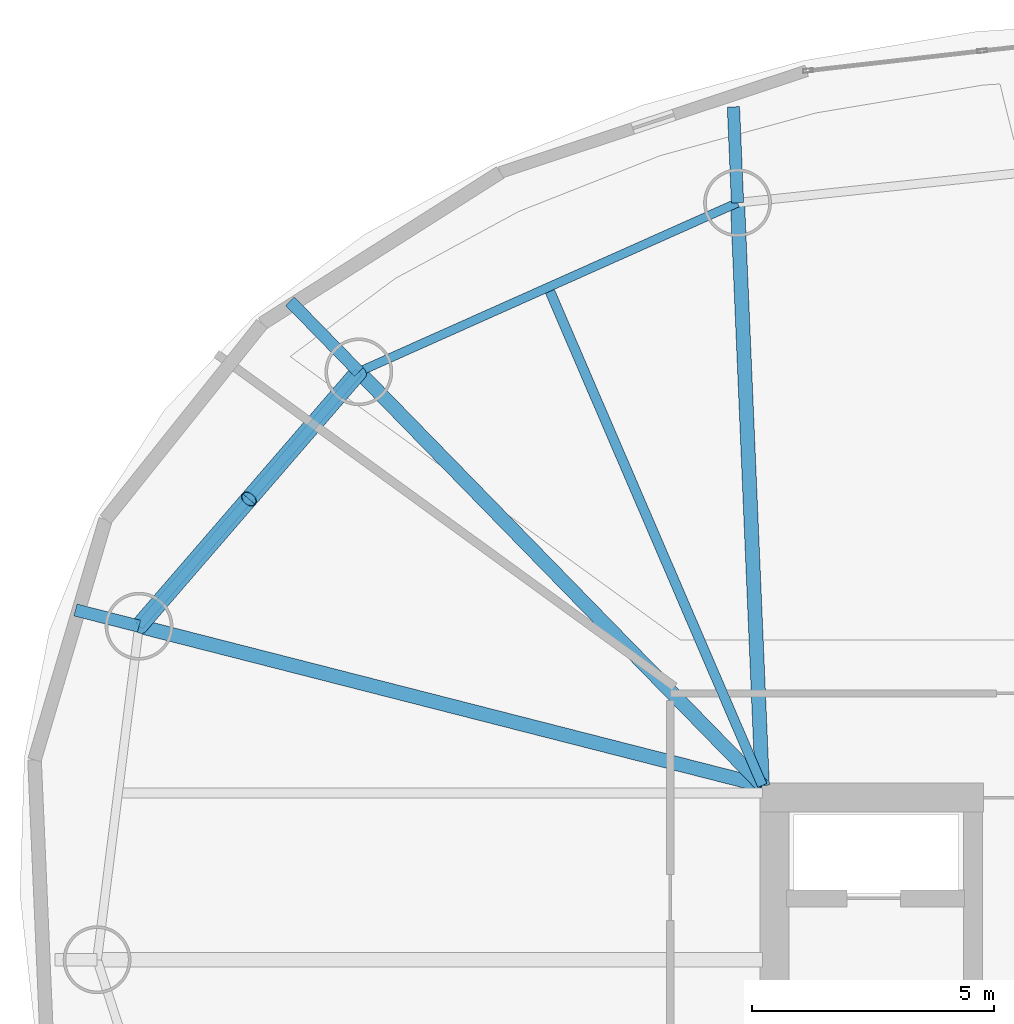
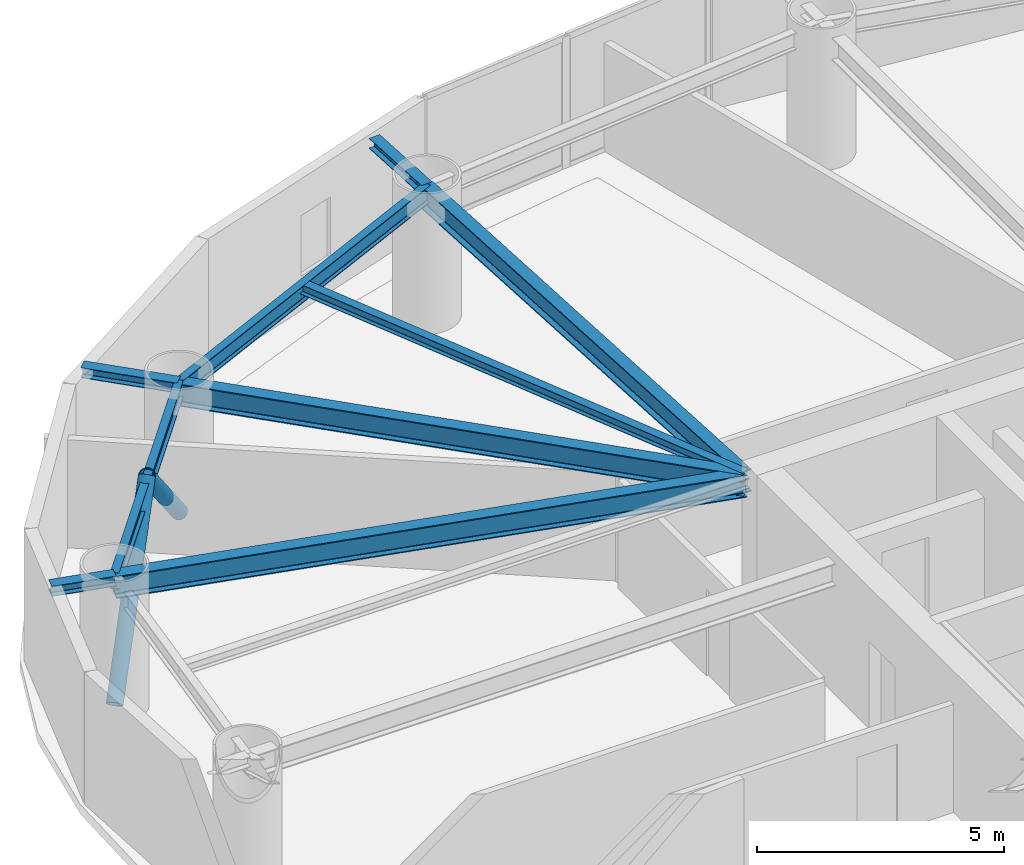
# One storey, part 10 of 22: 9 beams, 2 members.
"""IFC4 building model written with IfcOpenShell, lengths in metres."""

from ifc_helpers import new_model, si_unit, direction, frame, origin, origin_2d, place, context, subcontext, project, spatial, hollow_circle, i_section, extrude, material, material_profile, profile_set, type_object, element, save


model = new_model("IFC4")

# Units and contexts
model_context = context("Model", 3, precision=1e-05, world=origin(), true_north=direction((0.0, 1.0)))
body_context = subcontext(model_context, "Body", "Model", "MODEL_VIEW")
ifc_project = project(units=[si_unit("LENGTHUNIT", "METRE"), si_unit("AREAUNIT", "SQUARE_METRE"), si_unit("VOLUMEUNIT", "CUBIC_METRE"), si_unit("PLANEANGLEUNIT", "RADIAN"), si_unit("MASSUNIT", "GRAM", prefix="KILO")], contexts=[model_context])

# Site, building, storey
site_placement = place(None, origin())
site = spatial("IfcSite", under=ifc_project, at=site_placement, CompositionType="ELEMENT")
building_placement = place(site_placement, origin())
building = spatial("IfcBuilding", under=site, at=building_placement, Name="Bramvorn Convention Spire", CompositionType="ELEMENT")
storey_placement = place(building_placement, frame((0.0, 0.0, 141.300048828125)))
storey = spatial("IfcBuildingStorey", under=building, at=storey_placement, Name="L35", CompositionType="ELEMENT", Elevation=141.300048828125)

# Beams
ifc_material = material(Name="Steel CSA G40.21 Grade 350 (350W)", Category="steel")
ifc_material_profile_1 = material_profile(ifc_material, i_section(OverallWidth=0.201904296875, OverallDepth=0.2470703125, WebThickness=0.00732421875, FlangeThickness=0.010986328125, FilletRadius=0.011962890625, at=origin_2d()))
ifc_profile_set_1 = profile_set([ifc_material_profile_1], Name="Steel CSA G40.21 Grade 350 (350W) - W250X49")
beam_type_1 = type_object("IfcBeamType", Name="BM-W250X49", PredefinedType="JOIST", material=ifc_profile_set_1)
beam_1_placement = place(storey_placement, frame((26.75, 33.449951171875, 3.136474609375), z_axis=(-0.394937739893, 0.918707886985, 0.0), x_axis=(-0.918707886985, -0.394937739893, 0.0)))
element("IfcBeam", 1, at=beam_1_placement, inside=storey, type_object=beam_type_1, Name="L35 composite floor joist 07", PredefinedType="JOIST", context=body_context, shape_type="SweptSolid", body=[
    extrude(i_section(OverallWidth=0.201904296875, OverallDepth=0.2470703125, WebThickness=0.00732421875, FlangeThickness=0.010986328125, FilletRadius=0.011962890625, at=origin_2d()), origin(), (0.0, 0.0, 1.0), 11.19384765625),
])
ifc_material_profile_2 = material_profile(ifc_material, i_section(OverallWidth=0.25390625, OverallDepth=0.2529296875, WebThickness=0.008544921875, FlangeThickness=0.01416015625, FilletRadius=0.011962890625, at=origin_2d()))
ifc_profile_set_2 = profile_set([ifc_material_profile_2], Name="Steel CSA G40.21 Grade 350 (350W) - W250X73")
beam_type_2 = type_object("IfcBeamType", Name="BM-W250X73", PredefinedType="BEAM", material=ifc_profile_set_2)
beam_2_placement = place(storey_placement, frame((26.23828125, 45.478759765625, 3.133544921875), z_axis=(-0.042603629579, 0.99909205319, 0.0), x_axis=(-0.99909205319, -0.042603629579, 0.0)))
element("IfcBeam", 2, at=beam_2_placement, inside=storey, type_object=beam_type_2, Name="L35 slab-edge cantilever tip beam MC07", PredefinedType="BEAM", context=body_context, shape_type="SweptSolid", body=[
    extrude(i_section(OverallWidth=0.25390625, OverallDepth=0.2529296875, WebThickness=0.008544921875, FlangeThickness=0.01416015625, FilletRadius=0.011962890625, at=origin_2d()), origin(), (0.0, 0.0, 1.0), 1.982666015625),
])
beam_3_placement = place(storey_placement, frame((18.420166015625, 41.9892578125, 3.133544921875), z_axis=(-0.698286336418, 0.7158185471, 0.0), x_axis=(-0.7158185471, -0.698286336418, 0.0)))
element("IfcBeam", 3, at=beam_3_placement, inside=storey, type_object=beam_type_2, Name="L35 slab-edge cantilever tip beam MC08", PredefinedType="BEAM", context=body_context, shape_type="SweptSolid", body=[
    extrude(i_section(OverallWidth=0.25390625, OverallDepth=0.2529296875, WebThickness=0.008544921875, FlangeThickness=0.01416015625, FilletRadius=0.011962890625, at=origin_2d()), origin(), (0.0, 0.0, 1.0), 2.033203125),
])
beam_4_placement = place(storey_placement, frame((13.88232421875, 36.73779296875, 3.133544921875), z_axis=(-0.968889206046, 0.247494861377, 0.0), x_axis=(-0.247494861377, -0.968889206046, 0.0)))
element("IfcBeam", 4, at=beam_4_placement, inside=storey, type_object=beam_type_2, Name="L35 slab-edge cantilever tip beam MC09", PredefinedType="BEAM", context=body_context, shape_type="SweptSolid", body=[
    extrude(i_section(OverallWidth=0.25390625, OverallDepth=0.2529296875, WebThickness=0.008544921875, FlangeThickness=0.01416015625, FilletRadius=0.011962890625, at=origin_2d()), origin(), (0.0, 0.0, 1.0), 1.3544921875),
])
ifc_material_profile_3 = material_profile(ifc_material, i_section(OverallWidth=0.180908203125, OverallDepth=0.4169921875, WebThickness=0.010986328125, FlangeThickness=0.018310546875, FilletRadius=0.01611328125, at=origin_2d()))
ifc_profile_set_3 = profile_set([ifc_material_profile_3], Name="Steel CSA G40.21 Grade 350 (350W) - W410X85")
beam_type_3 = type_object("IfcBeamType", Name="BM-W410X85", PredefinedType="JOIST", material=ifc_profile_set_3)
beam_5_placement = place(storey_placement, frame((26.23828125, 45.478759765625, 3.051513671875), z_axis=(-0.913169534701, -0.407579931908, 0.0), x_axis=(0.407579931908, -0.913169534701, 0.0)))
element("IfcBeam", 5, at=beam_5_placement, inside=storey, type_object=beam_type_3, Name="L35 mega-column ring beam 07", PredefinedType="JOIST", context=body_context, shape_type="SweptSolid", body=[
    extrude(i_section(OverallWidth=0.180908203125, OverallDepth=0.4169921875, WebThickness=0.010986328125, FlangeThickness=0.018310546875, FilletRadius=0.01611328125, at=origin_2d()), origin(), (0.0, 0.0, 1.0), 8.5615234375),
])
beam_6_placement = place(storey_placement, frame((18.420166015625, 41.9892578125, 3.051513671875), z_axis=(-0.653824993824, -0.756645807132, 0.0), x_axis=(0.756645807132, -0.653824993824, 0.0)))
element("IfcBeam", 6, at=beam_6_placement, inside=storey, type_object=beam_type_3, Name="L35 mega-column ring beam 08", PredefinedType="JOIST", context=body_context, shape_type="SweptSolid", body=[
    extrude(i_section(OverallWidth=0.180908203125, OverallDepth=0.4169921875, WebThickness=0.010986328125, FlangeThickness=0.018310546875, FilletRadius=0.01611328125, at=origin_2d()), origin(), (0.0, 0.0, 1.0), 6.9404296875),
])
ifc_material_profile_4 = material_profile(ifc_material, i_section(OverallWidth=0.2919921875, OverallDepth=0.551025390625, WebThickness=0.01513671875, FlangeThickness=0.0244140625, FilletRadius=0.01904296875, at=origin_2d()))
ifc_profile_set_4 = profile_set([ifc_material_profile_4], Name="Steel CSA G40.21 Grade 350 (350W) - W530X182")
beam_type_4 = type_object("IfcBeamType", Name="BM-W530X182", PredefinedType="BEAM", material=ifc_profile_set_4)
beam_7_placement = place(storey_placement, frame((26.75, 33.449951171875, 2.984375), z_axis=(-0.042502657955, 0.999096353745, 0.0), x_axis=(-0.999096353745, -0.042502657955, 0.0)))
element("IfcBeam", 7, at=beam_7_placement, inside=storey, type_object=beam_type_4, Name="L35 radial floor girder MC07", PredefinedType="BEAM", context=body_context, shape_type="SweptSolid", body=[
    extrude(i_section(OverallWidth=0.2919921875, OverallDepth=0.551025390625, WebThickness=0.01513671875, FlangeThickness=0.0244140625, FilletRadius=0.01904296875, at=origin_2d()), origin(), (0.0, 0.0, 1.0), 12.039794921875),
])
beam_8_placement = place(storey_placement, frame((26.75, 33.449951171875, 2.984375), z_axis=(-0.698272445638, 0.715832097397, 0.0), x_axis=(-0.715832097397, -0.698272445638, 0.0)))
element("IfcBeam", 8, at=beam_8_placement, inside=storey, type_object=beam_type_4, Name="L35 radial floor girder MC08", PredefinedType="BEAM", context=body_context, shape_type="SweptSolid", body=[
    extrude(i_section(OverallWidth=0.2919921875, OverallDepth=0.551025390625, WebThickness=0.01513671875, FlangeThickness=0.0244140625, FilletRadius=0.01904296875, at=origin_2d()), origin(), (0.0, 0.0, 1.0), 11.92919921875),
])
beam_9_placement = place(storey_placement, frame((26.75, 33.449951171875, 2.984375), z_axis=(-0.968872976577, 0.247558387576, 0.0), x_axis=(-0.247558387576, -0.968872976577, 0.0)))
element("IfcBeam", 9, at=beam_9_placement, inside=storey, type_object=beam_type_4, Name="L35 radial floor girder MC09", PredefinedType="BEAM", context=body_context, shape_type="SweptSolid", body=[
    extrude(i_section(OverallWidth=0.2919921875, OverallDepth=0.551025390625, WebThickness=0.01513671875, FlangeThickness=0.0244140625, FilletRadius=0.01904296875, at=origin_2d()), origin(), (0.0, 0.0, 1.0), 13.281005859375),
])

# Members
ifc_material_profile_5 = material_profile(ifc_material, hollow_circle(Radius=0.177734375, WallThickness=0.015869140625, at=origin_2d()))
ifc_profile_set_5 = profile_set([ifc_material_profile_5], Name="Steel CSA G40.21 Grade 350 (350W) - CHS356X16")
member_type = type_object("IfcMemberType", Name="MBR-CHS356X16", PredefinedType="BRACE", material=ifc_profile_set_5)
member_1_placement = place(storey_placement, frame((18.420166015625, 41.9892578125, 0.0), z_axis=(-0.476512423349, -0.551478652009, 0.684694973526), x_axis=(0.756663209553, -0.653804854149, 0.0)))
element("IfcMember", 10, at=member_1_placement, inside=storey, type_object=member_type, Name="L35 perimeter Gothic lancet brace 8A", PredefinedType="BRACE", context=body_context, shape_type="SweptSolid", body=[
    extrude(hollow_circle(Radius=0.177734375, WallThickness=0.015869140625, at=origin_2d()), origin(), (0.0, 0.0, 1.0), 4.76123046875),
])
member_2_placement = place(storey_placement, frame((13.88232421875, 36.73779296875, 0.0), z_axis=(0.476552055337, 0.551465177012, 0.684678243481), x_axis=(-0.756628404976, 0.65384513211, 0.0)))
element("IfcMember", 11, at=member_2_placement, inside=storey, type_object=member_type, Name="L35 perimeter Gothic lancet brace 8B", PredefinedType="BRACE", context=body_context, shape_type="SweptSolid", body=[
    extrude(hollow_circle(Radius=0.177734375, WallThickness=0.015869140625, at=origin_2d()), origin(), (0.0, 0.0, 1.0), 4.761474609375),
])

save(model, "model.ifc")
